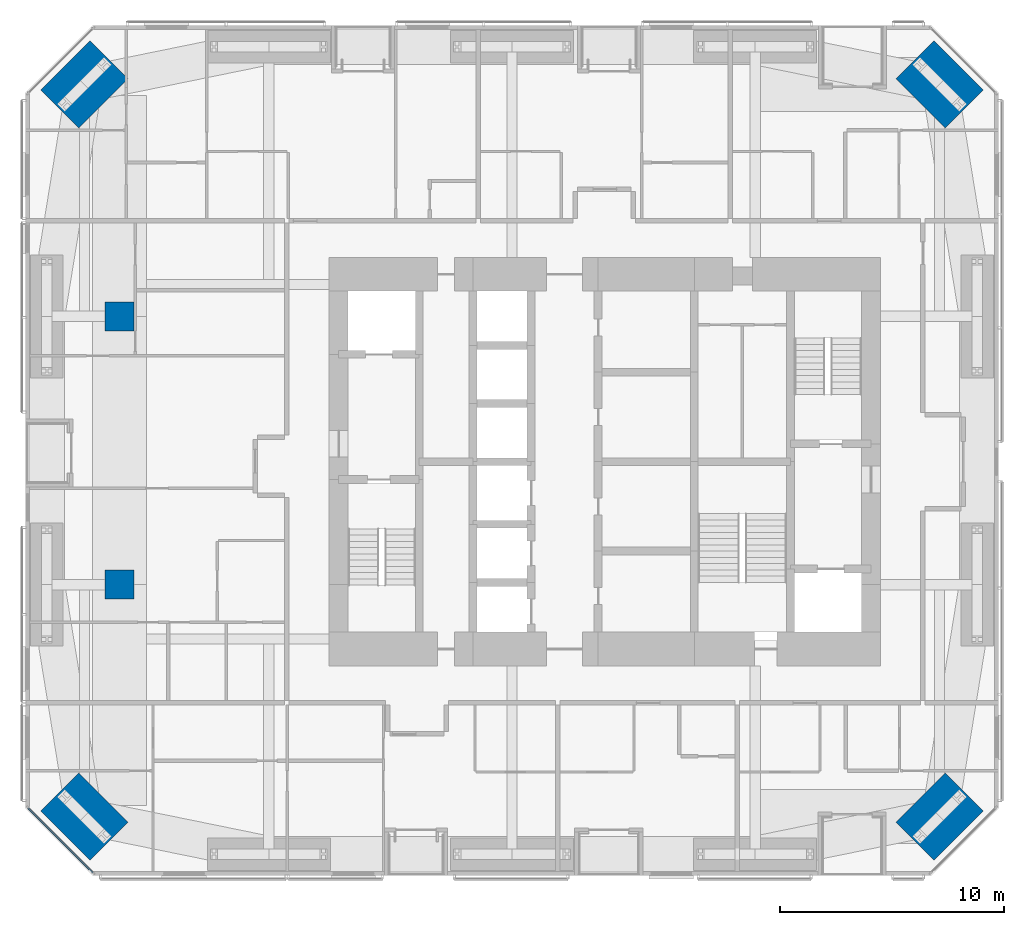
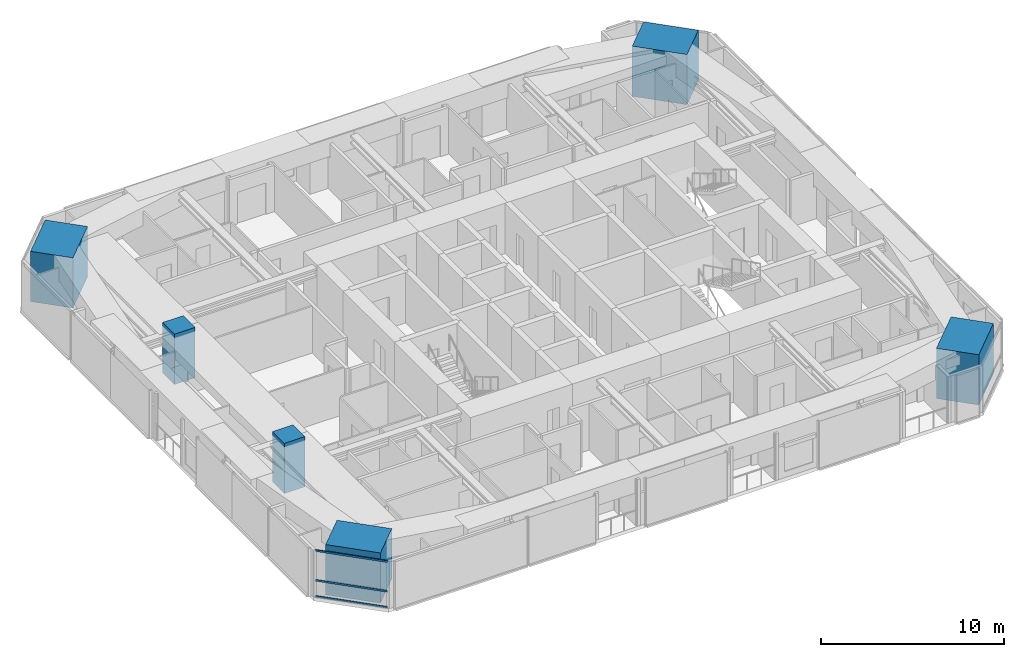
# One storey, part 1 of 24: 6 columns, 3 members, 1 element without a shape of its own.
"""IFC4 building model written with IfcOpenShell, lengths in metres."""

from ifc_helpers import new_model, si_unit, direction, frame, origin, origin_2d, place, context, subcontext, project, spatial, rectangle, extrude, material, material_profile, profile_set, type_object, element, aggregate, save


model = new_model("IFC4")

# Units and contexts
model_context = context("Model", 3, precision=1e-05, world=origin(), true_north=direction((0.0, 1.0)))
body_context = subcontext(model_context, "Body", "Model", "MODEL_VIEW")
ifc_project = project(units=[si_unit("LENGTHUNIT", "METRE"), si_unit("AREAUNIT", "SQUARE_METRE"), si_unit("VOLUMEUNIT", "CUBIC_METRE"), si_unit("PLANEANGLEUNIT", "RADIAN"), si_unit("MASSUNIT", "GRAM", prefix="KILO")], contexts=[model_context])

# Site, building, storey
site_placement = place(None, origin())
site = spatial("IfcSite", under=ifc_project, at=site_placement, CompositionType="ELEMENT")
building_placement = place(site_placement, origin())
building = spatial("IfcBuilding", under=site, at=building_placement, Name="Jalousie Tower", CompositionType="ELEMENT")
storey_placement = place(building_placement, frame((0.0, 0.0, 91.449951171875)))
storey = spatial("IfcBuildingStorey", under=building, at=storey_placement, Name="L24", CompositionType="ELEMENT", Elevation=91.449951171875)

# Columns
ifc_material_1 = material(Name="Concrete f'c 120 MPa", Category="concrete")
ifc_material_profile_1 = material_profile(ifc_material_1, rectangle(XDim=1.300048828125, YDim=1.300048828125, at=origin_2d()), Name="RC 1300x1300")
ifc_profile_set_1 = profile_set([ifc_material_profile_1], Name="Concrete f'c 120 MPa")
column_type_1 = type_object("IfcColumnType", Name="RC COLUMN 1300x1300", PredefinedType="COLUMN", material=ifc_profile_set_1)
for number, where, z_axis, x_axis, name in (
    (1, (10.199951171875, 13.0, 0.0), (0.0, 0.0, 1.0), (1.0, 0.0, 0.0), "Interior column IB1 L24"),
    (2, (10.199951171875, 25.0, 0.0), (0.0, 0.0, 1.0), (1.0, 0.0, 0.0), "Interior column IB2 L24"),
):
    element("IfcColumn", number, at=place(storey_placement, frame(where, z_axis=z_axis, x_axis=x_axis)), inside=storey, type_object=column_type_1, Name=name, PredefinedType="COLUMN", context=body_context, shape_type="SweptSolid", body=[
        extrude(rectangle(XDim=1.300048828125, YDim=1.300048828125, at=origin_2d()), origin(), (0.0, 0.0, 1.0), 3.35009765625),
    ])
ifc_material_2 = material(Name="Concrete f'c 120 MPa", Category="concrete")
ifc_material_profile_2 = material_profile(ifc_material_2, rectangle(XDim=2.39990234375, YDim=3.10009765625, at=origin_2d()), Name="RC 2400x3100")
ifc_profile_set_2 = profile_set([ifc_material_profile_2], Name="Concrete f'c 120 MPa")
column_type_2 = type_object("IfcColumnType", Name="RC CORNER COLUMN 2400x3100", PredefinedType="COLUMN", material=ifc_profile_set_2)
for number, where, z_axis, x_axis, name in (
    (3, (8.63134765625, 2.63134765625, 0.0), (0.0, 0.0, 1.0), (0.707106781187, 0.707106781187, 0.0), "Corner column 01 L24"),
    (4, (46.86865234375, 2.63134765625, 0.0), (0.0, 0.0, 1.0), (-0.707106781187, 0.707106781187, 0.0), "Corner column 05 L24"),
    (5, (46.86865234375, 35.36865234375, 0.0), (0.0, 0.0, 1.0), (-0.707106781187, -0.707106781187, 0.0), "Corner column 08 L24"),
    (6, (8.63134765625, 35.36865234375, 0.0), (0.0, 0.0, 1.0), (0.707106781187, -0.707106781187, 0.0), "Corner column 12 L24"),
):
    element("IfcColumn", number, at=place(storey_placement, frame(where, z_axis=z_axis, x_axis=x_axis)), inside=storey, type_object=column_type_2, Name=name, PredefinedType="COLUMN", context=body_context, shape_type="SweptSolid", body=[
        extrude(rectangle(XDim=2.39990234375, YDim=3.10009765625, at=origin_2d()), origin(), (0.0, 0.0, 1.0), 3.35009765625),
    ])

# Curtain wall, members
ifc_material_3 = material(Name="Aluminium curtain wall", Category="aluminium")
curtain_wall_type = type_object("IfcCurtainWallType", Name="CORNER WINDOW WALL", PredefinedType="USERDEFINED", material=ifc_material_3)
curtain_wall_placement = place(storey_placement, origin())
curtain_wall = element("IfcCurtainWall", 7, at=curtain_wall_placement, inside=storey, type_object=curtain_wall_type, Name="Corner Window Wall L24 8", ObjectType="CORNER WINDOW WALL", PredefinedType="USERDEFINED")
ifc_material_4 = material(Name="Aluminium transom", Category="aluminium")
ifc_material_profile_3 = material_profile(ifc_material_4, rectangle(XDim=0.06005859375, YDim=0.1201171875, at=origin_2d()), Name="TRANSOM 60x120")
ifc_profile_set_3 = profile_set([ifc_material_profile_3], Name="Aluminium transom")
member_type = type_object("IfcMemberType", Name="CORNER WINDOW WALL TRANSOM", PredefinedType="USERDEFINED", material=ifc_profile_set_3)
member_1_placement = place(storey_placement, frame((6.1298828125, 3.0087890625, 0.030029296875), z_axis=(0.707106781187, -0.707106781187, 0.0), x_axis=(0.707106781187, 0.707106781187, 0.0)))
member_1 = element("IfcMember", 8, at=member_1_placement, type_object=member_type, Name="CW-C transom 1.1", ObjectType="TRANSOM", PredefinedType="USERDEFINED", context=body_context, shape_type="SweptSolid", body=[
    extrude(rectangle(XDim=0.06005859375, YDim=0.1201171875, at=origin_2d()), origin(), (0.0, 0.0, 1.0), 4.0712890625),
])
member_2_placement = place(storey_placement, frame((6.1298828125, 3.0087890625, 1.10009765625), z_axis=(0.707106781187, -0.707106781187, 0.0), x_axis=(0.707106781187, 0.707106781187, 0.0)))
member_2 = element("IfcMember", 9, at=member_2_placement, type_object=member_type, Name="CW-C transom 1.2", ObjectType="TRANSOM", PredefinedType="USERDEFINED", context=body_context, shape_type="SweptSolid", body=[
    extrude(rectangle(XDim=0.06005859375, YDim=0.1201171875, at=origin_2d()), origin(), (0.0, 0.0, 1.0), 4.0712890625),
])
member_3_placement = place(storey_placement, frame((6.1298828125, 3.0087890625, 3.080078125), z_axis=(0.707106781187, -0.707106781187, 0.0), x_axis=(0.707106781187, 0.707106781187, 0.0)))
member_3 = element("IfcMember", 10, at=member_3_placement, type_object=member_type, Name="CW-C transom 1.3", ObjectType="TRANSOM", PredefinedType="USERDEFINED", context=body_context, shape_type="SweptSolid", body=[
    extrude(rectangle(XDim=0.06005859375, YDim=0.1201171875, at=origin_2d()), origin(), (0.0, 0.0, 1.0), 4.0712890625),
])
aggregate(curtain_wall, [member_1, member_2, member_3])

save(model, "model.ifc")
